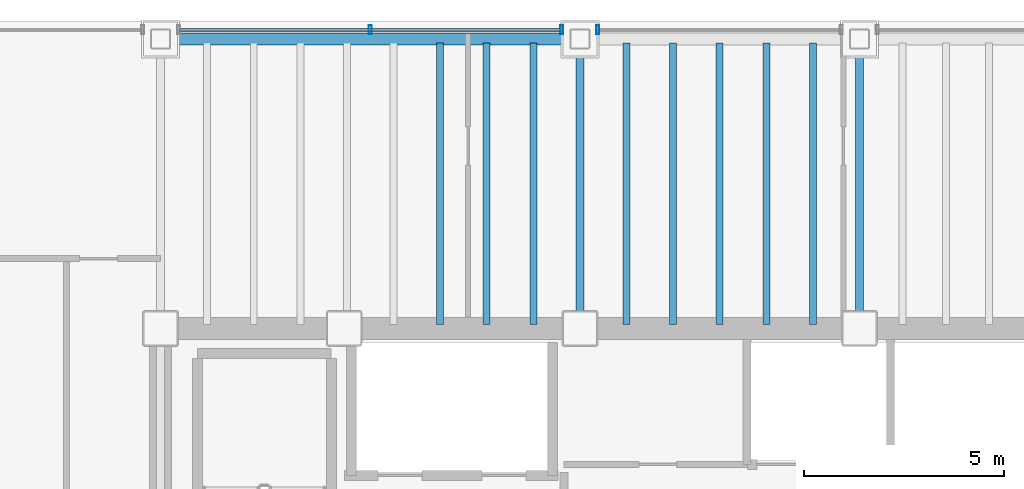
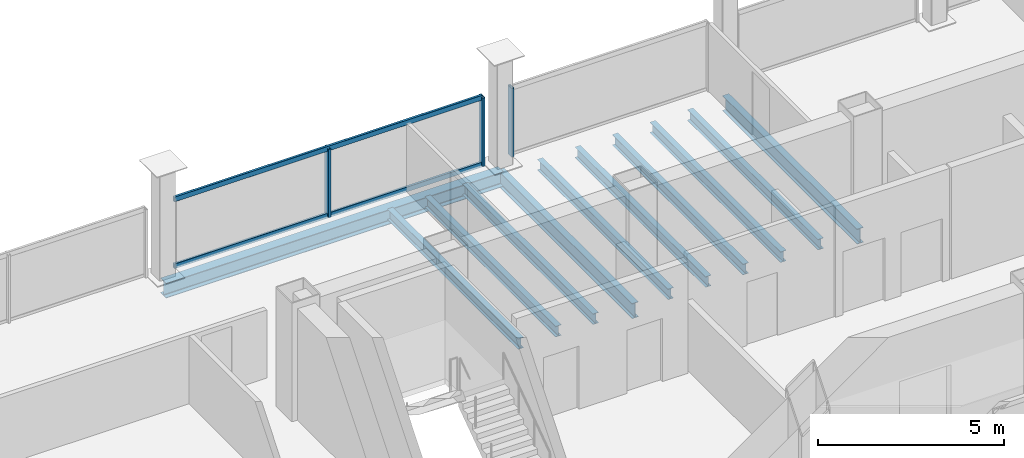
# One storey, part 9 of 19: 11 beams, 5 members, 2 elements without a shape of their own.
"""IFC4 building model written with IfcOpenShell, lengths in metres."""

from ifc_helpers import new_model, si_unit, direction, frame, origin, origin_2d, place, context, subcontext, project, spatial, hollow_rectangle, i_section, extrude, material, material_profile, profile_set, type_object, element, aggregate, save


model = new_model("IFC4")

# Units and contexts
model_context = context("Model", 3, precision=1e-05, world=origin(), true_north=direction((0.0, 1.0)))
body_context = subcontext(model_context, "Body", "Model", "MODEL_VIEW")
ifc_project = project(units=[si_unit("LENGTHUNIT", "METRE"), si_unit("AREAUNIT", "SQUARE_METRE"), si_unit("VOLUMEUNIT", "CUBIC_METRE"), si_unit("PLANEANGLEUNIT", "RADIAN"), si_unit("MASSUNIT", "GRAM", prefix="KILO")], contexts=[model_context])

# Site, building, storey
site_placement = place(None, origin())
site = spatial("IfcSite", under=ifc_project, at=site_placement, CompositionType="ELEMENT")
building_placement = place(site_placement, origin())
building = spatial("IfcBuilding", under=site, at=building_placement, Name="Noeulbin Bourse Tower", CompositionType="ELEMENT")
storey_placement = place(building_placement, frame((0.0, 0.0, 165.60009765625)))
storey = spatial("IfcBuildingStorey", under=building, at=storey_placement, Name="L41", CompositionType="ELEMENT", Elevation=165.60009765625)

# Beams
ifc_material_1 = material(Name="Steel S355", Category="steel")
ifc_material_profile_1 = material_profile(ifc_material_1, i_section(OverallWidth=0.199951171875, OverallDepth=0.5, WebThickness=0.010009765625, FlangeThickness=0.01611328125, FilletRadius=0.02001953125, at=origin_2d()), Name="H-500x200x10x16", Category="LoadBearing")
ifc_profile_set_1 = profile_set([ifc_material_profile_1], Name="Steel S355")
beam_type_1 = type_object("IfcBeamType", Name="BM-GRD-500", PredefinedType="USERDEFINED", material=ifc_profile_set_1)
for number, where, z_axis, x_axis, name in (
    (1, (24.0, 38.300048828125, -0.43017578125), (0.0, 1.0, 0.0), (-1.0, 0.0, 0.0), "Tower Primary Girder NS L41-2.4"),
    (2, (31.0, 38.300048828125, -0.43017578125), (0.0, 1.0, 0.0), (-1.0, 0.0, 0.0), "Tower Primary Girder NS L41-3.4"),
):
    element("IfcBeam", number, at=place(storey_placement, frame(where, z_axis=z_axis, x_axis=x_axis)), inside=storey, type_object=beam_type_1, Name=name, ObjectType="GIRDER", PredefinedType="USERDEFINED", context=body_context, shape_type="SweptSolid", body=[
        extrude(i_section(OverallWidth=0.199951171875, OverallDepth=0.5, WebThickness=0.010009765625, FlangeThickness=0.01611328125, FilletRadius=0.02001953125, at=origin_2d()), origin(), (0.0, 0.0, 1.0), 7.25),
    ])
ifc_material_profile_2 = material_profile(ifc_material_1, i_section(OverallWidth=0.175048828125, OverallDepth=0.35009765625, WebThickness=0.007080078125, FlangeThickness=0.010986328125, FilletRadius=0.013916015625, at=origin_2d()), Name="H-350x175x7x11", Category="LoadBearing")
ifc_profile_set_2 = profile_set([ifc_material_profile_2], Name="Steel S355")
beam_type_2 = type_object("IfcBeamType", Name="BM-JST-350", PredefinedType="JOIST", material=ifc_profile_set_2)
for number, where, z_axis, x_axis, name in (
    (3, (20.5, 38.39990234375, -0.35498046875), (0.0, 1.0, 0.0), (-1.0, 0.0, 0.0), "Tower Composite Joist L41-18"),
    (4, (21.666748046875, 38.39990234375, -0.35498046875), (0.0, 1.0, 0.0), (-1.0, 0.0, 0.0), "Tower Composite Joist L41-21"),
    (5, (22.833251953125, 38.39990234375, -0.35498046875), (0.0, 1.0, 0.0), (-1.0, 0.0, 0.0), "Tower Composite Joist L41-24"),
    (6, (25.166748046875, 38.39990234375, -0.35498046875), (0.0, 1.0, 0.0), (-1.0, 0.0, 0.0), "Tower Composite Joist L41-27"),
    (7, (26.333251953125, 38.39990234375, -0.35498046875), (0.0, 1.0, 0.0), (-1.0, 0.0, 0.0), "Tower Composite Joist L41-30"),
    (8, (27.5, 38.39990234375, -0.35498046875), (0.0, 1.0, 0.0), (-1.0, 0.0, 0.0), "Tower Composite Joist L41-33"),
    (9, (28.666748046875, 38.39990234375, -0.35498046875), (0.0, 1.0, 0.0), (-1.0, 0.0, 0.0), "Tower Composite Joist L41-36"),
    (10, (29.833251953125, 38.39990234375, -0.35498046875), (0.0, 1.0, 0.0), (-1.0, 0.0, 0.0), "Tower Composite Joist L41-39"),
):
    element("IfcBeam", number, at=place(storey_placement, frame(where, z_axis=z_axis, x_axis=x_axis)), inside=storey, type_object=beam_type_2, Name=name, PredefinedType="JOIST", context=body_context, shape_type="SweptSolid", body=[
        extrude(i_section(OverallWidth=0.175048828125, OverallDepth=0.35009765625, WebThickness=0.007080078125, FlangeThickness=0.010986328125, FilletRadius=0.013916015625, at=origin_2d()), origin(), (0.0, 0.0, 1.0), 7.050048828125),
    ])
ifc_material_profile_3 = material_profile(ifc_material_1, i_section(OverallWidth=0.300048828125, OverallDepth=0.488037109375, WebThickness=0.010986328125, FlangeThickness=0.01806640625, FilletRadius=0.02197265625, at=origin_2d()), Name="H-488x300x11x18", Category="LoadBearing")
ifc_profile_set_3 = profile_set([ifc_material_profile_3], Name="Steel S355")
beam_type_3 = type_object("IfcBeamType", Name="BM-SPN-488", PredefinedType="SPANDREL", material=ifc_profile_set_3)
beam_placement = place(storey_placement, frame((13.5, 45.550048828125, -0.424072265625), z_axis=(1.0, 0.0, 0.0), x_axis=(0.0, 1.0, 0.0)))
element("IfcBeam", 11, at=beam_placement, inside=storey, type_object=beam_type_3, Name="North Spandrel L41-1", PredefinedType="SPANDREL", context=body_context, shape_type="SweptSolid", body=[
    extrude(i_section(OverallWidth=0.300048828125, OverallDepth=0.488037109375, WebThickness=0.010986328125, FlangeThickness=0.01806640625, FilletRadius=0.02197265625, at=origin_2d()), origin(), (0.0, 0.0, 1.0), 10.5),
])

# Curtain wall, members
ifc_material_2 = material(Name="Dark Tinted Triple Glazing", Category="glass")
curtain_wall_type = type_object("IfcCurtainWallType", Name="CW-SYS-3", PredefinedType="NOTDEFINED", material=ifc_material_2)
curtain_wall_1_placement = place(storey_placement, origin())
curtain_wall_1 = element("IfcCurtainWall", 12, at=curtain_wall_1_placement, inside=storey, type_object=curtain_wall_type, Name="Unitised Curtain Wall CW-L41-N-S2", PredefinedType="NOTDEFINED")
ifc_material_3 = material(Name="Anodised Aluminium 6063-T6", Category="aluminium")
ifc_material_profile_4 = material_profile(ifc_material_3, hollow_rectangle(XDim=0.074951171875, YDim=0.219970703125, WallThickness=0.0048828125, InnerFilletRadius=0.00244140625, OuterFilletRadius=0.0048828125, at=origin_2d()), Name="ALU-MULL-75x220x5", Category="LoadBearing")
ifc_profile_set_4 = profile_set([ifc_material_profile_4], Name="Anodised Aluminium 6063-T6")
member_type_1 = type_object("IfcMemberType", Name="CW-SYS-3-MUL", PredefinedType="MULLION", material=ifc_profile_set_4)
member_1_placement = place(storey_placement, frame((18.75, 45.780029296875, -0.02001953125), z_axis=(0.0, 0.0, 1.0), x_axis=(1.0, 0.0, 0.0)))
member_1 = element("IfcMember", 13, at=member_1_placement, type_object=member_type_1, Name="Curtain Wall Mullion CW-L41-N-S2-M01", PredefinedType="MULLION", context=body_context, shape_type="SweptSolid", body=[
    extrude(hollow_rectangle(XDim=0.074951171875, YDim=0.219970703125, WallThickness=0.0048828125, InnerFilletRadius=0.00244140625, OuterFilletRadius=0.0048828125, at=origin_2d()), origin(), (0.0, 0.0, 1.0), 2.260009765625),
])
member_2_placement = place(storey_placement, frame((23.550048828125, 45.780029296875, -0.02001953125), z_axis=(0.0, 0.0, 1.0), x_axis=(1.0, 0.0, 0.0)))
member_2 = element("IfcMember", 14, at=member_2_placement, type_object=member_type_1, Name="Curtain Wall Mullion CW-L41-N-S2-M02", PredefinedType="MULLION", context=body_context, shape_type="SweptSolid", body=[
    extrude(hollow_rectangle(XDim=0.074951171875, YDim=0.219970703125, WallThickness=0.0048828125, InnerFilletRadius=0.00244140625, OuterFilletRadius=0.0048828125, at=origin_2d()), origin(), (0.0, 0.0, 1.0), 2.260009765625),
])

# Curtain wall, member
curtain_wall_2_placement = place(storey_placement, origin())
curtain_wall_2 = element("IfcCurtainWall", 15, at=curtain_wall_2_placement, inside=storey, type_object=curtain_wall_type, Name="Unitised Curtain Wall CW-L41-N-S3", PredefinedType="NOTDEFINED")
member_3_placement = place(storey_placement, frame((24.449951171875, 45.780029296875, -0.02001953125), z_axis=(0.0, 0.0, 1.0), x_axis=(1.0, 0.0, 0.0)))
member_3 = element("IfcMember", 16, at=member_3_placement, type_object=member_type_1, Name="Curtain Wall Mullion CW-L41-N-S3-M00", PredefinedType="MULLION", context=body_context, shape_type="SweptSolid", body=[
    extrude(hollow_rectangle(XDim=0.074951171875, YDim=0.219970703125, WallThickness=0.0048828125, InnerFilletRadius=0.00244140625, OuterFilletRadius=0.0048828125, at=origin_2d()), origin(), (0.0, 0.0, 1.0), 2.260009765625),
])
aggregate(curtain_wall_2, [member_3])

# Member
ifc_material_profile_5 = material_profile(ifc_material_3, hollow_rectangle(XDim=0.074951171875, YDim=0.159912109375, WallThickness=0.0048828125, InnerFilletRadius=0.00244140625, OuterFilletRadius=0.0048828125, at=origin_2d()), Name="ALU-TRAN-75x160x5", Category="LoadBearing")
ifc_profile_set_5 = profile_set([ifc_material_profile_5], Name="Anodised Aluminium 6063-T6")
member_type_2 = type_object("IfcMemberType", Name="CW-SYS-3-TRN", PredefinedType="USERDEFINED", material=ifc_profile_set_5)
member_4_placement = place(storey_placement, frame((13.9599609375, 45.780029296875, 0.010009765625), z_axis=(1.0, 0.0, 0.0), x_axis=(0.0, 1.0, 0.0)))
member_4 = element("IfcMember", 17, at=member_4_placement, type_object=member_type_2, Name="Curtain Wall Transom CW-L41-N-S2-T00", ObjectType="TRANSOM", PredefinedType="USERDEFINED", context=body_context, shape_type="SweptSolid", body=[
    extrude(hollow_rectangle(XDim=0.074951171875, YDim=0.159912109375, WallThickness=0.0048828125, InnerFilletRadius=0.00244140625, OuterFilletRadius=0.0048828125, at=origin_2d()), origin(), (0.0, 0.0, 1.0), 9.580078125),
])

member_5_placement = place(storey_placement, frame((13.9599609375, 45.780029296875, 2.2099609375), z_axis=(1.0, 0.0, 0.0), x_axis=(0.0, 1.0, 0.0)))
member_5 = element("IfcMember", 18, at=member_5_placement, type_object=member_type_2, Name="Curtain Wall Transom CW-L41-N-S2-T01", ObjectType="TRANSOM", PredefinedType="USERDEFINED", context=body_context, shape_type="SweptSolid", body=[
    extrude(hollow_rectangle(XDim=0.074951171875, YDim=0.159912109375, WallThickness=0.0048828125, InnerFilletRadius=0.00244140625, OuterFilletRadius=0.0048828125, at=origin_2d()), origin(), (0.0, 0.0, 1.0), 9.580078125),
])

aggregate(curtain_wall_1, [member_1, member_2, member_4, member_5])

save(model, "model.ifc")
